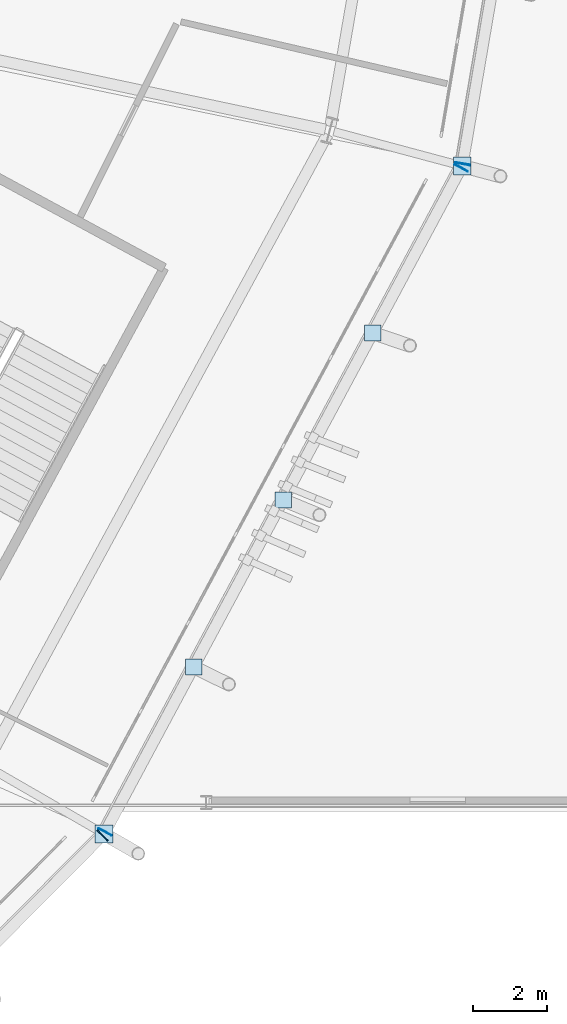
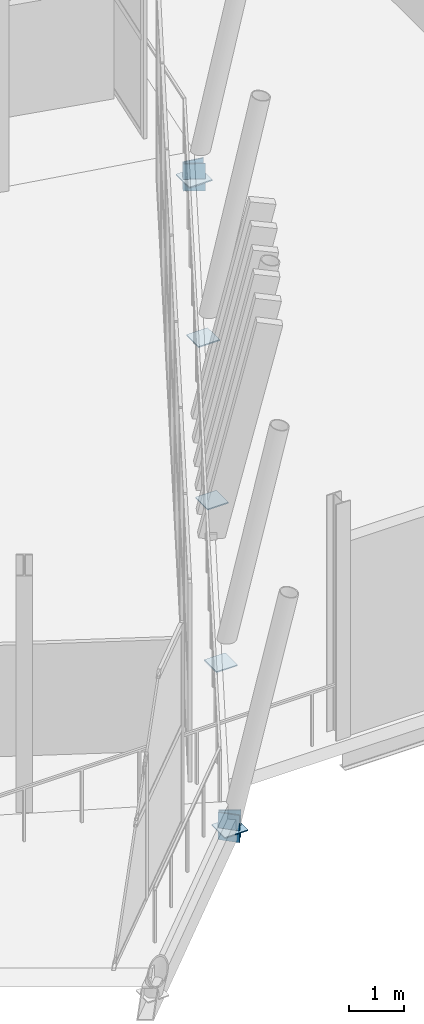
# One storey, part 106 of 168: 9 plates.
"""IFC4 building model written with IfcOpenShell, lengths in metres."""

import ifcopenshell
import ifcopenshell.guid

model = None  # the IFC model being written
_history = None  # IfcOwnerHistory: only IFC2X3 demands one
_inside = {}  # id of a spatial element -> (the spatial element, [elements in it])
_under = {}  # id of a project, library or spatial element -> (it, [spatial elements below it])
_declared = {}  # id of a project -> (the project, [libraries it declares])
_typed = {}  # id of a type object -> (the type object, [elements of that type])
_made_of = {}  # id of a material, layer set ... -> (it, [elements and type objects made of it])


def new_model(schema):
    """Start an empty IFC model of exactly this schema.

    Asked for "IFC4X3", IfcOpenShell would pick the latest addendum, in which some entities
    have other attributes; the version numbers below select the first issue.
    IFC2X3 requires an IfcOwnerHistory on every rooted entity: one is made here for all.
    """
    global model, _history
    if schema == "IFC4X3":
        model = ifcopenshell.file(schema_version=(4, 3, 0, 0))
    else:
        model = ifcopenshell.file(schema=schema)
    _inside.clear()
    _under.clear()
    _declared.clear()
    _typed.clear()
    _made_of.clear()
    _history = None
    if model.schema == "IFC2X3":
        org = make("IfcOrganization", Name="unknown")
        user = make(
            "IfcPersonAndOrganization",
            ThePerson=make("IfcPerson", FamilyName="unknown"),
            TheOrganization=org,
        )
        app = make(
            "IfcApplication",
            ApplicationDeveloper=org,
            Version="unknown",
            ApplicationFullName="unknown",
            ApplicationIdentifier="unknown",
        )
        _history = make(
            "IfcOwnerHistory",
            OwningUser=user,
            OwningApplication=app,
            ChangeAction="ADDED",
            CreationDate=0,
        )
    return model


def make(cls, **values):
    """One entity of the class cls with the attributes given. An attribute that is None is left unset."""
    return model.create_entity(
        cls, **{name: value for name, value in values.items() if value is not None}
    )


def rooted(cls, **values):
    """An entity with a GlobalId (a new one), such as an element, a storey or a relation."""
    return make(cls, GlobalId=ifcopenshell.guid.new(), OwnerHistory=_history, **values)


def si_unit(unit_type, name, prefix=None):
    """IfcSIUnit, for example si_unit("LENGTHUNIT", "METRE", prefix="MILLI")."""
    return make("IfcSIUnit", UnitType=unit_type, Prefix=prefix, Name=name)


def assignment(units):
    """IfcUnitAssignment: the units of a project."""
    return None if units is None else make("IfcUnitAssignment", Units=units)


def point(xyz):
    """IfcCartesianPoint."""
    return None if xyz is None else make("IfcCartesianPoint", Coordinates=xyz)


def direction(xyz):
    """IfcDirection."""
    return None if xyz is None else make("IfcDirection", DirectionRatios=xyz)


def frame(location, z_axis=None, x_axis=None):
    """IfcAxis2Placement3D, a coordinate frame: its origin and axes. An axis left out is left unset."""
    return make(
        "IfcAxis2Placement3D",
        Location=point(location),
        Axis=direction(z_axis),
        RefDirection=direction(x_axis),
    )


def frame_2d(location, x_axis=None):
    """IfcAxis2Placement2D, a coordinate frame in the plane: its origin and x axis."""
    return make(
        "IfcAxis2Placement2D", Location=point(location), RefDirection=direction(x_axis)
    )


def origin():
    """The frame at (0, 0, 0) with its axes left unset."""
    return frame((0.0, 0.0, 0.0))


def origin_2d():
    """The frame at (0, 0) in the plane with its x axis left unset."""
    return frame_2d((0.0, 0.0))


def place(relative_to, where):
    """IfcLocalPlacement: puts the frame where relative to a parent placement (None: the world)."""
    return make(
        "IfcLocalPlacement", PlacementRelTo=relative_to, RelativePlacement=where
    )


def context(
    kind, dimensions, precision=None, world=None, true_north=None, identifier=None
):
    """IfcGeometricRepresentationContext, for example the 3D "Model" context."""
    return make(
        "IfcGeometricRepresentationContext",
        ContextIdentifier=identifier,
        ContextType=kind,
        CoordinateSpaceDimension=dimensions,
        Precision=precision,
        WorldCoordinateSystem=world,
        TrueNorth=true_north,
    )


def subcontext(parent, identifier, kind, view, scale=None):
    """IfcGeometricRepresentationSubContext, for example "Body" below "Model"."""
    return make(
        "IfcGeometricRepresentationSubContext",
        ContextIdentifier=identifier,
        ContextType=kind,
        ParentContext=parent,
        TargetScale=scale,
        TargetView=view,
    )


def project(units=None, contexts=None):
    """IfcProject with its units and contexts."""
    return rooted(
        "IfcProject",
        Name="project",
        RepresentationContexts=contexts,
        UnitsInContext=assignment(units),
    )


def spatial(cls, under=None, at=None, **own):
    """A site, building, storey or space (cls), placed at a placement, below another one or the project."""
    s = rooted(cls, ObjectPlacement=at, **own)
    if under is not None:
        _under.setdefault(under.id(), (under, []))[1].append(s)
    return s


def profile(cls, at=None, kind="AREA", **sizes):
    """A parametric profile (cls). Its sizes go by their IFC names, for example OverallWidth=200.0."""
    return make(cls, ProfileType=kind, Position=at, **sizes)


def rectangle(**sizes):
    """IfcRectangleProfileDef."""
    return profile("IfcRectangleProfileDef", **sizes)


def extrude(swept, where, along, depth):
    """IfcExtrudedAreaSolid: the profile swept, set in the frame where, extruded along a direction by depth."""
    return make(
        "IfcExtrudedAreaSolid",
        SweptArea=swept,
        Position=where,
        ExtrudedDirection=direction(along),
        Depth=depth,
    )


def shape(context_of_items, identifier, shape_type, items):
    """IfcShapeRepresentation: the items that make up one representation, for example the "Body"."""
    return make(
        "IfcShapeRepresentation",
        ContextOfItems=context_of_items,
        RepresentationIdentifier=identifier,
        RepresentationType=shape_type,
        Items=items,
    )


def material(Name=None, Category=None):
    """IfcMaterial."""
    return make("IfcMaterial", Name=Name, Category=Category)


def layer(
    of_material, thickness, ventilated=None, Name=None, Category=None, Priority=None
):
    """IfcMaterialLayer: one layer of a wall or slab, of a material (None: an air gap)."""
    return make(
        "IfcMaterialLayer",
        Material=of_material,
        LayerThickness=thickness,
        IsVentilated=ventilated,
        Name=Name,
        Category=Category,
        Priority=Priority,
    )


def layer_set(layers, Name=None):
    """IfcMaterialLayerSet."""
    return make("IfcMaterialLayerSet", MaterialLayers=layers, LayerSetName=Name)


def made_of(thing, what):
    """Note that an element or type object is made of a material, layer set ...; save() writes the relation."""
    if what is not None:
        _made_of.setdefault(what.id(), (what, []))[1].append(thing)
    return thing


def type_object(cls, material=None, **own):
    """A type object (cls), such as IfcWallType, which elements share."""
    return made_of(rooted(cls, **own), material)


def element(
    cls,
    number,
    at=None,
    inside=None,
    cuts=None,
    type_object=None,
    material=None,
    context=None,
    identifier="Body",
    shape_type=None,
    held_by="IfcProductDefinitionShape",
    body=None,
    shapes=None,
    **own,
):
    """One element of the class cls, such as IfcWall. Its Tag is "e" and its number.

    at: its placement. inside: the storey or other place that contains it. cuts: it is an
    opening in that element (IfcRelVoidsElement). A single representation is given by context,
    identifier, shape_type and body (its items); several are given by shapes. held_by: the class
    of the entity that holds the representations. save() writes the other relations.
    """
    e = rooted(cls, Tag="e%d" % number, ObjectPlacement=at, **own)
    if body is not None:
        shapes = [shape(context, identifier, shape_type, body)]
    if shapes is not None:
        e.Representation = make(held_by, Representations=shapes)
    if inside is not None:
        _inside.setdefault(inside.id(), (inside, []))[1].append(e)
    if cuts is not None:
        rooted(
            "IfcRelVoidsElement", RelatingBuildingElement=cuts, RelatedOpeningElement=e
        )
    if type_object is not None:
        _typed.setdefault(type_object.id(), (type_object, []))[1].append(e)
    return made_of(e, material)


def aggregate(whole, parts):
    """IfcRelAggregates: a whole, such as a stair, and the parts it consists of."""
    return rooted("IfcRelAggregates", RelatingObject=whole, RelatedObjects=parts)


def save(model, path):
    """Write the relations noted so far, then the file.

    IfcRelAggregates (storeys below a building ...), IfcRelContainedInSpatialStructure (elements
    in a storey), IfcRelDefinesByType, IfcRelAssociatesMaterial and IfcRelDeclares: one each for
    every whole, place, type object, material and project.
    """
    for whole, parts in _under.values():
        aggregate(whole, parts)
    for where, things in _inside.values():
        rooted(
            "IfcRelContainedInSpatialStructure",
            RelatedElements=things,
            RelatingStructure=where,
        )
    for kind, things in _typed.values():
        rooted("IfcRelDefinesByType", RelatedObjects=things, RelatingType=kind)
    for what, things in _made_of.values():
        rooted("IfcRelAssociatesMaterial", RelatedObjects=things, RelatingMaterial=what)
    for by, libraries in _declared.values():
        rooted("IfcRelDeclares", RelatingContext=by, RelatedDefinitions=libraries)
    model.write(path)


model = new_model("IFC4")

# Units and contexts
model_context = context("Model", 3, precision=1e-05, world=origin(), true_north=direction((0.0, 1.0)))
body_context = subcontext(model_context, "Body", "Model", "MODEL_VIEW")
ifc_project = project(units=[si_unit("LENGTHUNIT", "METRE"), si_unit("AREAUNIT", "SQUARE_METRE"), si_unit("VOLUMEUNIT", "CUBIC_METRE"), si_unit("PLANEANGLEUNIT", "RADIAN"), si_unit("MASSUNIT", "GRAM", prefix="KILO")], contexts=[model_context])

# Site, building, storey
site_placement = place(None, origin())
site = spatial("IfcSite", under=ifc_project, at=site_placement, CompositionType="ELEMENT")
building_placement = place(site_placement, origin())
building = spatial("IfcBuilding", under=site, at=building_placement, Name="Zlatoyarsky Gate Stadium", CompositionType="ELEMENT")
storey_placement = place(building_placement, frame((0.0, 0.0, 15.60009765625)))
storey = spatial("IfcBuildingStorey", under=building, at=storey_placement, Name="L03", CompositionType="ELEMENT", Elevation=15.60009765625)

# Plates
ifc_material = material(Name="Steel S355", Category="steel")
ifc_layer = layer(ifc_material, 0.02392578125)
ifc_layer_set = layer_set([ifc_layer], Name="Steel S355")
plate_type = type_object("IfcPlateType", Name="STEEL HOLLOW CHORD SPLICE SHEET 24", PredefinedType="SHEET", material=ifc_layer_set)
for number, where, z_axis, x_axis, name in (
    (1, (194.704345703125, 42.606201171875, -0.830078125), (0.0, 0.0, 1.0), (0.70472967068, 0.709475927191, 0.0), "Hollow end cap ND-SP1 CAP-L03-SPD-21 B"),
    (2, (194.77490234375, 42.701904296875, -0.830078125), (0.0, 0.0, 1.0), (0.472555712276, 0.881300799271, 0.0), "Hollow end cap ND-SP1 CAP-L03-SPD-22 A"),
    (3, (204.37890625, 60.61279296875, -0.830078125), (0.0, 0.0, 1.0), (0.472555712276, 0.881300799271, 0.0), "Hollow end cap ND-SP1 CAP-L03-SPD-22 B"),
):
    element("IfcPlate", number, at=place(storey_placement, frame(where, z_axis=z_axis, x_axis=x_axis)), inside=storey, type_object=plate_type, Name=name, PredefinedType="SHEET", context=body_context, shape_type="SweptSolid", body=[
        extrude(rectangle(XDim=0.02392578125, YDim=0.39990234375, at=origin_2d()), origin(), (0.0, 0.0, 1.0), 0.60009765625),
    ])
plate_1_placement = place(storey_placement, frame((194.74658203125, 42.64892578125, -0.592041015625), z_axis=(0.0, 0.0, 1.0), x_axis=(1.0, 0.0, 0.0)))
element("IfcPlate", 4, at=plate_1_placement, inside=storey, type_object=plate_type, Name="Node closure plate ND-SP1 NCAP-L03-RSTR-22", PredefinedType="SHEET", context=body_context, shape_type="SweptSolid", body=[
    extrude(rectangle(XDim=0.47998046875, YDim=0.47998046875, at=origin_2d()), origin(), (0.0, 0.0, 1.0), 0.02392578125),
])
plate_2_placement = place(storey_placement, frame((204.417236328125, 60.724609375, -0.830078125), z_axis=(0.0, 0.0, 1.0), x_axis=(0.167999444579, 0.985787089904, 0.0)))
element("IfcPlate", 5, at=plate_2_placement, inside=storey, type_object=plate_type, Name="Hollow end cap ND-SP1 CAP-L03-SPD-23 A", PredefinedType="SHEET", context=body_context, shape_type="SweptSolid", body=[
    extrude(rectangle(XDim=0.02392578125, YDim=0.39990234375, at=origin_2d()), origin(), (0.0, 0.0, 1.0), 0.60009765625),
])
plate_3_placement = place(storey_placement, frame((204.4072265625, 60.66552734375, -0.592041015625), z_axis=(0.0, 0.0, 1.0), x_axis=(1.0, 0.0, 0.0)))
element("IfcPlate", 6, at=plate_3_placement, inside=storey, type_object=plate_type, Name="Node closure plate ND-SP1 NCAP-L03-RSTR-23", PredefinedType="SHEET", context=body_context, shape_type="SweptSolid", body=[
    extrude(rectangle(XDim=0.47998046875, YDim=0.47998046875, at=origin_2d()), origin(), (0.0, 0.0, 1.0), 0.02392578125),
])
for number, where, z_axis, x_axis, name in (
    (7, (197.16162109375, 47.153076171875, -0.5419921875), (0.0, 0.0, 1.0), (1.0, 0.0, 0.0), "Node closure plate ND-SP1 NCAP-RIB-22-1-1T"),
    (8, (199.576904296875, 51.6572265625, -0.5419921875), (0.0, 0.0, 1.0), (1.0, 0.0, 0.0), "Node closure plate ND-SP1 NCAP-RIB-22-2-1T"),
    (9, (201.9921875, 56.161376953125, -0.5419921875), (0.0, 0.0, 1.0), (1.0, 0.0, 0.0), "Node closure plate ND-SP1 NCAP-RIB-22-3-1T"),
):
    element("IfcPlate", number, at=place(storey_placement, frame(where, z_axis=z_axis, x_axis=x_axis)), inside=storey, type_object=plate_type, Name=name, PredefinedType="SHEET", context=body_context, shape_type="SweptSolid", body=[
        extrude(rectangle(XDim=0.43994140625, YDim=0.43994140625, at=origin_2d()), origin(), (0.0, 0.0, 1.0), 0.02392578125),
    ])

save(model, "model.ifc")
